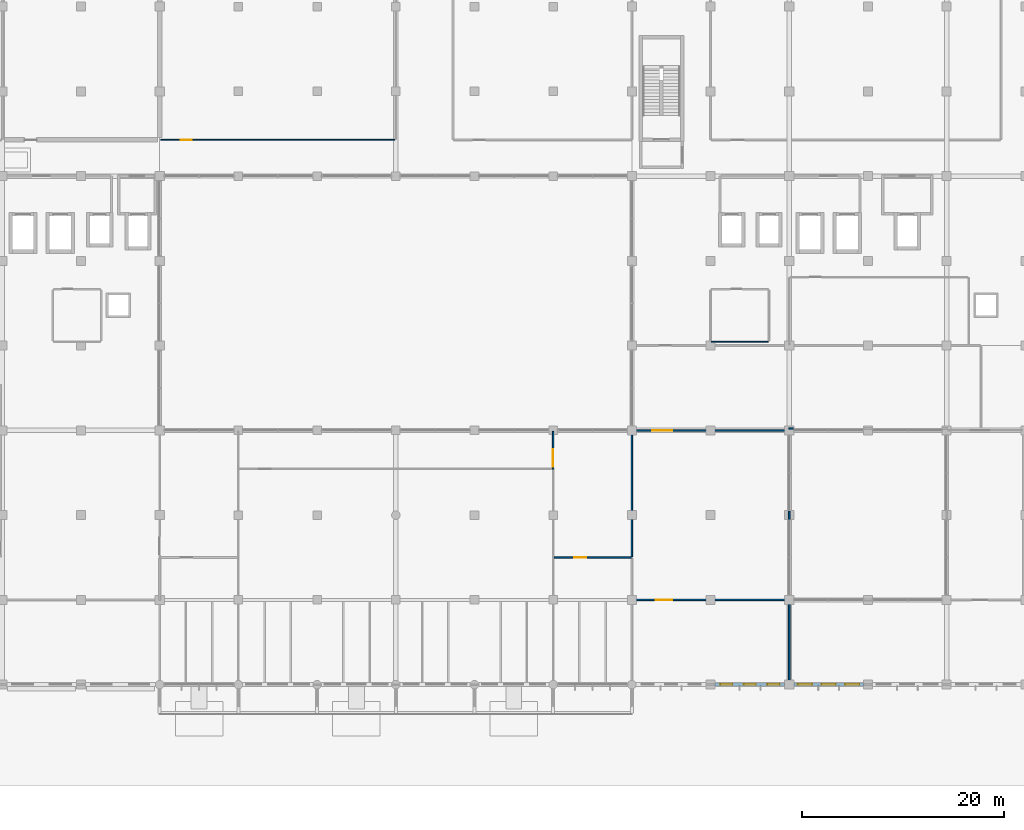
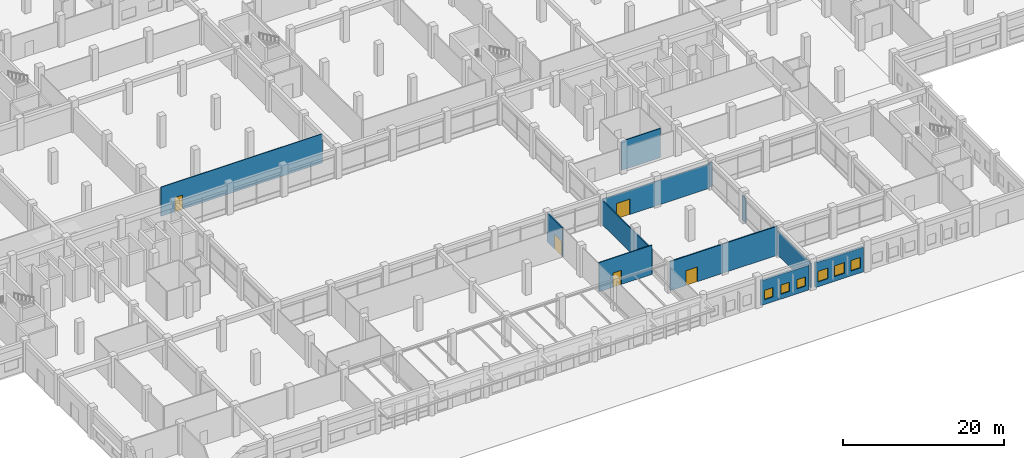
# One storey, part 50 of 74: 12 walls, 6 windows, 5 doors, 11 openings.
"""IFC4 building model written with IfcOpenShell, lengths in metres."""

import ifcopenshell
import ifcopenshell.guid

model = None  # the IFC model being written
_history = None  # IfcOwnerHistory: only IFC2X3 demands one
_inside = {}  # id of a spatial element -> (the spatial element, [elements in it])
_under = {}  # id of a project, library or spatial element -> (it, [spatial elements below it])
_declared = {}  # id of a project -> (the project, [libraries it declares])
_typed = {}  # id of a type object -> (the type object, [elements of that type])
_made_of = {}  # id of a material, layer set ... -> (it, [elements and type objects made of it])


def new_model(schema):
    """Start an empty IFC model of exactly this schema.

    Asked for "IFC4X3", IfcOpenShell would pick the latest addendum, in which some entities
    have other attributes; the version numbers below select the first issue.
    IFC2X3 requires an IfcOwnerHistory on every rooted entity: one is made here for all.
    """
    global model, _history
    if schema == "IFC4X3":
        model = ifcopenshell.file(schema_version=(4, 3, 0, 0))
    else:
        model = ifcopenshell.file(schema=schema)
    _inside.clear()
    _under.clear()
    _declared.clear()
    _typed.clear()
    _made_of.clear()
    _history = None
    if model.schema == "IFC2X3":
        org = make("IfcOrganization", Name="unknown")
        user = make(
            "IfcPersonAndOrganization",
            ThePerson=make("IfcPerson", FamilyName="unknown"),
            TheOrganization=org,
        )
        app = make(
            "IfcApplication",
            ApplicationDeveloper=org,
            Version="unknown",
            ApplicationFullName="unknown",
            ApplicationIdentifier="unknown",
        )
        _history = make(
            "IfcOwnerHistory",
            OwningUser=user,
            OwningApplication=app,
            ChangeAction="ADDED",
            CreationDate=0,
        )
    return model


def make(cls, **values):
    """One entity of the class cls with the attributes given. An attribute that is None is left unset."""
    return model.create_entity(
        cls, **{name: value for name, value in values.items() if value is not None}
    )


def rooted(cls, **values):
    """An entity with a GlobalId (a new one), such as an element, a storey or a relation."""
    return make(cls, GlobalId=ifcopenshell.guid.new(), OwnerHistory=_history, **values)


def si_unit(unit_type, name, prefix=None):
    """IfcSIUnit, for example si_unit("LENGTHUNIT", "METRE", prefix="MILLI")."""
    return make("IfcSIUnit", UnitType=unit_type, Prefix=prefix, Name=name)


def assignment(units):
    """IfcUnitAssignment: the units of a project."""
    return None if units is None else make("IfcUnitAssignment", Units=units)


def point(xyz):
    """IfcCartesianPoint."""
    return None if xyz is None else make("IfcCartesianPoint", Coordinates=xyz)


def direction(xyz):
    """IfcDirection."""
    return None if xyz is None else make("IfcDirection", DirectionRatios=xyz)


def frame(location, z_axis=None, x_axis=None):
    """IfcAxis2Placement3D, a coordinate frame: its origin and axes. An axis left out is left unset."""
    return make(
        "IfcAxis2Placement3D",
        Location=point(location),
        Axis=direction(z_axis),
        RefDirection=direction(x_axis),
    )


def frame_2d(location, x_axis=None):
    """IfcAxis2Placement2D, a coordinate frame in the plane: its origin and x axis."""
    return make(
        "IfcAxis2Placement2D", Location=point(location), RefDirection=direction(x_axis)
    )


def origin():
    """The frame at (0, 0, 0) with its axes left unset."""
    return frame((0.0, 0.0, 0.0))


def place(relative_to, where):
    """IfcLocalPlacement: puts the frame where relative to a parent placement (None: the world)."""
    return make(
        "IfcLocalPlacement", PlacementRelTo=relative_to, RelativePlacement=where
    )


def context(
    kind, dimensions, precision=None, world=None, true_north=None, identifier=None
):
    """IfcGeometricRepresentationContext, for example the 3D "Model" context."""
    return make(
        "IfcGeometricRepresentationContext",
        ContextIdentifier=identifier,
        ContextType=kind,
        CoordinateSpaceDimension=dimensions,
        Precision=precision,
        WorldCoordinateSystem=world,
        TrueNorth=true_north,
    )


def subcontext(parent, identifier, kind, view, scale=None):
    """IfcGeometricRepresentationSubContext, for example "Body" below "Model"."""
    return make(
        "IfcGeometricRepresentationSubContext",
        ContextIdentifier=identifier,
        ContextType=kind,
        ParentContext=parent,
        TargetScale=scale,
        TargetView=view,
    )


def project(units=None, contexts=None):
    """IfcProject with its units and contexts."""
    return rooted(
        "IfcProject",
        Name="project",
        RepresentationContexts=contexts,
        UnitsInContext=assignment(units),
    )


def spatial(cls, under=None, at=None, **own):
    """A site, building, storey or space (cls), placed at a placement, below another one or the project."""
    s = rooted(cls, ObjectPlacement=at, **own)
    if under is not None:
        _under.setdefault(under.id(), (under, []))[1].append(s)
    return s


def profile(cls, at=None, kind="AREA", **sizes):
    """A parametric profile (cls). Its sizes go by their IFC names, for example OverallWidth=200.0."""
    return make(cls, ProfileType=kind, Position=at, **sizes)


def rectangle(**sizes):
    """IfcRectangleProfileDef."""
    return profile("IfcRectangleProfileDef", **sizes)


def extrude(swept, where, along, depth):
    """IfcExtrudedAreaSolid: the profile swept, set in the frame where, extruded along a direction by depth."""
    return make(
        "IfcExtrudedAreaSolid",
        SweptArea=swept,
        Position=where,
        ExtrudedDirection=direction(along),
        Depth=depth,
    )


def shape(context_of_items, identifier, shape_type, items):
    """IfcShapeRepresentation: the items that make up one representation, for example the "Body"."""
    return make(
        "IfcShapeRepresentation",
        ContextOfItems=context_of_items,
        RepresentationIdentifier=identifier,
        RepresentationType=shape_type,
        Items=items,
    )


def material(Name=None, Category=None):
    """IfcMaterial."""
    return make("IfcMaterial", Name=Name, Category=Category)


def layer(
    of_material, thickness, ventilated=None, Name=None, Category=None, Priority=None
):
    """IfcMaterialLayer: one layer of a wall or slab, of a material (None: an air gap)."""
    return make(
        "IfcMaterialLayer",
        Material=of_material,
        LayerThickness=thickness,
        IsVentilated=ventilated,
        Name=Name,
        Category=Category,
        Priority=Priority,
    )


def layer_set(layers, Name=None):
    """IfcMaterialLayerSet."""
    return make("IfcMaterialLayerSet", MaterialLayers=layers, LayerSetName=Name)


def made_of(thing, what):
    """Note that an element or type object is made of a material, layer set ...; save() writes the relation."""
    if what is not None:
        _made_of.setdefault(what.id(), (what, []))[1].append(thing)
    return thing


def type_object(cls, material=None, **own):
    """A type object (cls), such as IfcWallType, which elements share."""
    return made_of(rooted(cls, **own), material)


def element(
    cls,
    number,
    at=None,
    inside=None,
    cuts=None,
    type_object=None,
    material=None,
    context=None,
    identifier="Body",
    shape_type=None,
    held_by="IfcProductDefinitionShape",
    body=None,
    shapes=None,
    **own,
):
    """One element of the class cls, such as IfcWall. Its Tag is "e" and its number.

    at: its placement. inside: the storey or other place that contains it. cuts: it is an
    opening in that element (IfcRelVoidsElement). A single representation is given by context,
    identifier, shape_type and body (its items); several are given by shapes. held_by: the class
    of the entity that holds the representations. save() writes the other relations.
    """
    e = rooted(cls, Tag="e%d" % number, ObjectPlacement=at, **own)
    if body is not None:
        shapes = [shape(context, identifier, shape_type, body)]
    if shapes is not None:
        e.Representation = make(held_by, Representations=shapes)
    if inside is not None:
        _inside.setdefault(inside.id(), (inside, []))[1].append(e)
    if cuts is not None:
        rooted(
            "IfcRelVoidsElement", RelatingBuildingElement=cuts, RelatedOpeningElement=e
        )
    if type_object is not None:
        _typed.setdefault(type_object.id(), (type_object, []))[1].append(e)
    return made_of(e, material)


def fill(opening, filler):
    """IfcRelFillsElement: the door or window that sits in an opening."""
    return rooted(
        "IfcRelFillsElement",
        RelatingOpeningElement=opening,
        RelatedBuildingElement=filler,
    )


def aggregate(whole, parts):
    """IfcRelAggregates: a whole, such as a stair, and the parts it consists of."""
    return rooted("IfcRelAggregates", RelatingObject=whole, RelatedObjects=parts)


def save(model, path):
    """Write the relations noted so far, then the file.

    IfcRelAggregates (storeys below a building ...), IfcRelContainedInSpatialStructure (elements
    in a storey), IfcRelDefinesByType, IfcRelAssociatesMaterial and IfcRelDeclares: one each for
    every whole, place, type object, material and project.
    """
    for whole, parts in _under.values():
        aggregate(whole, parts)
    for where, things in _inside.values():
        rooted(
            "IfcRelContainedInSpatialStructure",
            RelatedElements=things,
            RelatingStructure=where,
        )
    for kind, things in _typed.values():
        rooted("IfcRelDefinesByType", RelatedObjects=things, RelatingType=kind)
    for what, things in _made_of.values():
        rooted("IfcRelAssociatesMaterial", RelatedObjects=things, RelatingMaterial=what)
    for by, libraries in _declared.values():
        rooted("IfcRelDeclares", RelatingContext=by, RelatedDefinitions=libraries)
    model.write(path)


model = new_model("IFC4")

# Units and contexts
model_context = context("Model", 3, precision=1e-05, world=origin(), true_north=direction((0.0, 1.0)))
body_context = subcontext(model_context, "Body", "Model", "MODEL_VIEW")
ifc_project = project(units=[si_unit("LENGTHUNIT", "METRE"), si_unit("AREAUNIT", "SQUARE_METRE"), si_unit("VOLUMEUNIT", "CUBIC_METRE"), si_unit("PLANEANGLEUNIT", "RADIAN"), si_unit("MASSUNIT", "GRAM", prefix="KILO"), si_unit("THERMODYNAMICTEMPERATUREUNIT", "KELVIN"), si_unit("POWERUNIT", "WATT")], contexts=[model_context])

# Site, building, storey
site_placement = place(None, origin())
site = spatial("IfcSite", under=ifc_project, at=site_placement, CompositionType="ELEMENT")
building_placement = place(site_placement, origin())
building = spatial("IfcBuilding", under=site, at=building_placement, Name="Srebrne Nadtorze General Hospital", CompositionType="ELEMENT")
storey_placement = place(building_placement, origin())
storey = spatial("IfcBuildingStorey", under=building, at=storey_placement, Name="L00", CompositionType="ELEMENT", Elevation=0.0)

# Wall, opening, door
ifc_material_1 = material(Name="Gypsum Healthcare Partition")
ifc_layer_1 = layer(ifc_material_1, 0.139892578125)
ifc_layer_set_1 = layer_set([ifc_layer_1], Name="Gypsum Healthcare Partition")
wall_type_1 = type_object("IfcWallType", Name="Clinical partition 140", PredefinedType="PARTITIONING", material=ifc_layer_set_1)
wall_1_placement = place(storey_placement, frame((93.68505859375, 12.60009765625, 0.0), z_axis=(0.0, 0.0, 1.0), x_axis=(1.0, 0.0, 0.0)))
wall_1 = element("IfcWall", 1, at=wall_1_placement, inside=storey, type_object=wall_type_1, Name="Hospital Health Shop wall WL-INT-L00-1293", PredefinedType="PARTITIONING", context=body_context, shape_type="SweptSolid", body=[
    extrude(rectangle(XDim=7.6298828125, YDim=0.139892578125, at=frame_2d((3.81494140625, 0.0))), origin(), (0.0, 0.0, 1.0), 4.429931640625),
])
opening_1_placement = place(wall_1_placement, frame((1.98828125, 0.0, 0.0)))
opening_1 = element("IfcOpeningElement", 2, at=opening_1_placement, cuts=wall_1, Name="Opening D-L00-0188", PredefinedType="OPENING", context=body_context, shape_type="SweptSolid", body=[
    extrude(rectangle(XDim=1.219970703125, YDim=2.14990234375, at=frame_2d((0.60986328125, 1.074951171875))), frame((0.0, 0.08203125, 0.0), z_axis=(0.0, -1.0, 0.0), x_axis=(1.0, 0.0, 0.0)), (0.0, 0.0, 1.0), 0.163818359375),
])
ifc_material_2 = material(Name="Anodised Aluminium", Category="aluminium")
door_type_1 = type_object("IfcDoorType", Name="Single leaf door 1220x2150", OperationType="NOTDEFINED", PredefinedType="DOOR", material=ifc_material_2)
door_1_placement = place(opening_1_placement, frame((1.219970703125, 0.0, 0.0), z_axis=(0.0, 0.0, 1.0), x_axis=(-1.0, 0.0, 0.0)))
door_1 = element("IfcDoor", 3, at=door_1_placement, inside=storey, type_object=door_type_1, Name="Hospital Health Shop door D-L00-0188", OperationType="SINGLE_SWING_RIGHT", OverallHeight=2.14990234375, OverallWidth=1.219970703125, PredefinedType="DOOR", context=body_context, shape_type="SweptSolid", body=[
    extrude(rectangle(XDim=1.219970703125, YDim=2.14990234375, at=frame_2d((0.60986328125, 1.074951171875))), frame((0.0, 0.02490234375, 0.0), z_axis=(0.0, -1.0, 0.0), x_axis=(1.0, 0.0, 0.0)), (0.0, 0.0, 1.0), 0.050048828125),
])
fill(opening_1, door_1)

# Wall
wall_2_placement = place(storey_placement, frame((116.955078125, 25.39990234375, 0.0), z_axis=(0.0, 0.0, 1.0), x_axis=(1.0, 0.0, 0.0)))
element("IfcWall", 4, at=wall_2_placement, inside=storey, type_object=wall_type_1, Name="Outpatient Pre-Admission Assessment Clinic wall WL-INT-L00-1385", PredefinedType="PARTITIONING", context=body_context, shape_type="SweptSolid", body=[
    extrude(rectangle(XDim=0.454833984375, YDim=0.139892578125, at=frame_2d((0.2275390625, 0.0))), origin(), (0.0, 0.0, 1.0), 3.699951171875),
])

# Wall, opening, door
ifc_material_3 = material(Name="Gypsum Healthcare Partition")
ifc_layer_2 = layer(ifc_material_3, 0.159912109375)
ifc_layer_set_2 = layer_set([ifc_layer_2], Name="Gypsum Healthcare Partition")
wall_type_2 = type_object("IfcWallType", Name="Clinical partition 160", PredefinedType="PARTITIONING", material=ifc_layer_set_2)
wall_3_placement = place(storey_placement, frame((93.60009765625, 21.35498046875, 0.0), z_axis=(0.0, 0.0, 1.0), x_axis=(0.0, 1.0, 0.0)))
wall_3 = element("IfcWall", 5, at=wall_3_placement, inside=storey, type_object=wall_type_2, Name="Patient Admissions Consultation wall WL-INT-L00-1297", PredefinedType="PARTITIONING", context=body_context, shape_type="SweptSolid", body=[
    extrude(rectangle(XDim=3.760009765625, YDim=0.159912109375, at=frame_2d((1.8798828125, 0.0))), origin(), (0.0, 0.0, 1.0), 4.429931640625),
])
opening_2_placement = place(wall_3_placement, frame((0.25, 0.0, 0.0)))
opening_2 = element("IfcOpeningElement", 6, at=opening_2_placement, cuts=wall_3, Name="Opening D-L00-0190", PredefinedType="OPENING", context=body_context, shape_type="SweptSolid", body=[
    extrude(rectangle(XDim=1.75, YDim=2.300048828125, at=frame_2d((0.875, 1.14990234375))), frame((0.0, 0.091796875, 0.0), z_axis=(0.0, -1.0, 0.0), x_axis=(1.0, 0.0, 0.0)), (0.0, 0.0, 1.0), 0.183837890625),
])
ifc_material_4 = material(Name="Anodised Aluminium", Category="aluminium")
door_type_2 = type_object("IfcDoorType", Name="Double leaf door 1750x2300", OperationType="DOUBLE_DOOR_SINGLE_SWING", PredefinedType="DOOR", material=ifc_material_4)
door_2_placement = place(opening_2_placement, frame((1.75, 0.0, 0.0), z_axis=(0.0, 0.0, 1.0), x_axis=(-1.0, 0.0, 0.0)))
door_2 = element("IfcDoor", 7, at=door_2_placement, inside=storey, type_object=door_type_2, Name="Patient Admissions Consultation door D-L00-0190", OperationType="DOUBLE_DOOR_SINGLE_SWING", OverallHeight=2.300048828125, OverallWidth=1.75, PredefinedType="DOOR", context=body_context, shape_type="SweptSolid", body=[
    extrude(rectangle(XDim=1.75, YDim=2.300048828125, at=frame_2d((0.875, 1.14990234375))), frame((0.0, 0.02490234375, 0.0), z_axis=(0.0, -1.0, 0.0), x_axis=(1.0, 0.0, 0.0)), (0.0, 0.0, 1.0), 0.050048828125),
])
fill(opening_2, door_2)

# Wall
wall_4_placement = place(storey_placement, frame((101.39990234375, 12.68505859375, 0.0), z_axis=(0.0, 0.0, 1.0), x_axis=(0.0, 1.0, 0.0)))
element("IfcWall", 8, at=wall_4_placement, inside=storey, type_object=wall_type_2, Name="Patient Admissions Consultation wall WL-INT-L00-1298", PredefinedType="PARTITIONING", context=body_context, shape_type="SweptSolid", body=[
    extrude(rectangle(XDim=12.429931640625, YDim=0.159912109375, at=frame_2d((6.21484375, 0.0))), origin(), (0.0, 0.0, 1.0), 3.699951171875),
])

# Wall, opening, door
wall_5_placement = place(storey_placement, frame((101.485107421875, 8.39990234375, 0.0), z_axis=(0.0, 0.0, 1.0), x_axis=(1.0, 0.0, 0.0)))
wall_5 = element("IfcWall", 9, at=wall_5_placement, inside=storey, type_object=wall_type_2, Name="Outpatient Consultation Clinic wall WL-INT-L00-1360", PredefinedType="PARTITIONING", context=body_context, shape_type="SweptSolid", body=[
    extrude(rectangle(XDim=15.429931640625, YDim=0.159912109375, at=frame_2d((7.71484375, 0.0))), origin(), (0.0, 0.0, 1.0), 4.429931640625),
])
opening_3_placement = place(wall_5_placement, frame((2.30078125, 0.0, 0.0)))
opening_3 = element("IfcOpeningElement", 10, at=opening_3_placement, cuts=wall_5, Name="Opening D-L00-0205", PredefinedType="OPENING", context=body_context, shape_type="SweptSolid", body=[
    extrude(rectangle(XDim=1.60009765625, YDim=2.25, at=frame_2d((0.800048828125, 1.125))), frame((0.0, 0.091796875, 0.0), z_axis=(0.0, -1.0, 0.0), x_axis=(1.0, 0.0, 0.0)), (0.0, 0.0, 1.0), 0.183837890625),
])
ifc_material_5 = material(Name="Anodised Aluminium", Category="aluminium")
door_type_3 = type_object("IfcDoorType", Name="Double leaf door 1600x2250", OperationType="DOUBLE_DOOR_SINGLE_SWING", PredefinedType="DOOR", material=ifc_material_5)
door_3_placement = place(opening_3_placement, frame((1.60009765625, 0.0, 0.0), z_axis=(0.0, 0.0, 1.0), x_axis=(-1.0, 0.0, 0.0)))
door_3 = element("IfcDoor", 11, at=door_3_placement, inside=storey, type_object=door_type_3, Name="Outpatient Consultation Clinic door D-L00-0205", OperationType="DOUBLE_DOOR_SINGLE_SWING", OverallHeight=2.25, OverallWidth=1.60009765625, PredefinedType="DOOR", context=body_context, shape_type="SweptSolid", body=[
    extrude(rectangle(XDim=1.60009765625, YDim=2.25, at=frame_2d((0.800048828125, 1.125))), frame((0.0, 0.02490234375, 0.0), z_axis=(0.0, -1.0, 0.0), x_axis=(1.0, 0.0, 0.0)), (0.0, 0.0, 1.0), 0.050048828125),
])
fill(opening_3, door_3)

# Wall
wall_6_placement = place(storey_placement, frame((117.0, 0.0849609375, 0.0), z_axis=(0.0, 0.0, 1.0), x_axis=(0.0, 1.0, 0.0)))
element("IfcWall", 12, at=wall_6_placement, inside=storey, type_object=wall_type_2, Name="Outpatient Consultation Clinic wall WL-INT-L00-1362", PredefinedType="PARTITIONING", context=body_context, shape_type="SweptSolid", body=[
    extrude(rectangle(XDim=8.22998046875, YDim=0.159912109375, at=frame_2d((4.114990234375, 0.0))), origin(), (0.0, 0.0, 1.0), 3.699951171875),
])

# Wall, opening, door
wall_7_placement = place(storey_placement, frame((101.485107421875, 25.199951171875, 0.0), z_axis=(0.0, 0.0, 1.0), x_axis=(1.0, 0.0, 0.0)))
wall_7 = element("IfcWall", 13, at=wall_7_placement, inside=storey, type_object=wall_type_2, Name="Outpatient Vaccination Clinic wall WL-INT-L00-1371", PredefinedType="PARTITIONING", context=body_context, shape_type="SweptSolid", body=[
    extrude(rectangle(XDim=15.429931640625, YDim=0.159912109375, at=frame_2d((7.71484375, 0.0))), origin(), (0.0, 0.0, 1.0), 3.699951171875),
])
opening_4_placement = place(wall_7_placement, frame((1.9580078125, 0.0, 0.0)))
opening_4 = element("IfcOpeningElement", 14, at=opening_4_placement, cuts=wall_7, Name="Opening D-L00-0208", PredefinedType="OPENING", context=body_context, shape_type="SweptSolid", body=[
    extrude(rectangle(XDim=1.949951171875, YDim=2.35009765625, at=frame_2d((0.97509765625, 1.175048828125))), frame((0.0, 0.091796875, 0.0), z_axis=(0.0, -1.0, 0.0), x_axis=(1.0, 0.0, 0.0)), (0.0, 0.0, 1.0), 0.183837890625),
])
ifc_material_6 = material(Name="Anodised Aluminium", Category="aluminium")
door_type_4 = type_object("IfcDoorType", Name="Double leaf door 1950x2350", OperationType="DOUBLE_DOOR_SINGLE_SWING", PredefinedType="DOOR", material=ifc_material_6)
door_4_placement = place(opening_4_placement, frame((1.949951171875, 0.0, 0.0), z_axis=(0.0, 0.0, 1.0), x_axis=(-1.0, 0.0, 0.0)))
door_4 = element("IfcDoor", 15, at=door_4_placement, inside=storey, type_object=door_type_4, Name="Outpatient Vaccination Clinic door D-L00-0208", OperationType="DOUBLE_DOOR_SINGLE_SWING", OverallHeight=2.35009765625, OverallWidth=1.949951171875, PredefinedType="DOOR", context=body_context, shape_type="SweptSolid", body=[
    extrude(rectangle(XDim=1.949951171875, YDim=2.35009765625, at=frame_2d((0.97509765625, 1.175048828125))), frame((0.0, 0.02490234375, 0.0), z_axis=(0.0, -1.0, 0.0), x_axis=(1.0, 0.0, 0.0)), (0.0, 0.0, 1.0), 0.050048828125),
])
fill(opening_4, door_4)

# Walls
wall_8_placement = place(storey_placement, frame((117.0, 16.389892578125, 0.0), z_axis=(0.0, 0.0, 1.0), x_axis=(0.0, 1.0, 0.0)))
element("IfcWall", 16, at=wall_8_placement, inside=storey, type_object=wall_type_2, Name="Outpatient Vaccination Clinic wall WL-INT-L00-1372", PredefinedType="PARTITIONING", context=body_context, shape_type="SweptSolid", body=[
    extrude(rectangle(XDim=0.820068359375, YDim=0.159912109375, at=frame_2d((0.41015625, 0.0))), origin(), (0.0, 0.0, 1.0), 3.699951171875),
])
ifc_material_7 = material(Name="Gypsum Healthcare Partition")
ifc_layer_3 = layer(ifc_material_7, 0.1201171875)
ifc_layer_set_3 = layer_set([ifc_layer_3], Name="Gypsum Healthcare Partition")
wall_type_3 = type_object("IfcWallType", Name="En-suite partition 120", PredefinedType="PARTITIONING", material=ifc_layer_set_3)
wall_9_placement = place(storey_placement, frame((109.284912109375, 34.0, 0.0), z_axis=(0.0, 0.0, 1.0), x_axis=(1.0, 0.0, 0.0)))
element("IfcWall", 17, at=wall_9_placement, inside=storey, type_object=wall_type_3, Name="Staff WC wall WL-INT-L00-1382", PredefinedType="PARTITIONING", context=body_context, shape_type="SweptSolid", body=[
    extrude(rectangle(XDim=5.630126953125, YDim=0.1201171875, at=frame_2d((2.81494140625, 0.0))), origin(), (0.0, 0.0, 1.0), 4.429931640625),
])

# Wall, openings, windows
ifc_material_8 = material(Name="Concrete C40/50 precast", Category="concrete")
ifc_layer_4 = layer(ifc_material_8, 0.300048828125)
ifc_layer_set_4 = layer_set([ifc_layer_4], Name="Concrete C40/50 precast")
wall_type_4 = type_object("IfcWallType", Name="Limestone precast wall 300", PredefinedType="STANDARD", material=ifc_layer_set_4)
wall_10_placement = place(storey_placement, frame((109.64990234375, 0.0, 0.0), z_axis=(0.0, 0.0, 1.0), x_axis=(1.0, 0.0, 0.0)))
wall_10 = element("IfcWall", 18, at=wall_10_placement, inside=storey, type_object=wall_type_4, Name="Exterior wall WL-ENV-L00-0086", PredefinedType="STANDARD", context=body_context, shape_type="SweptSolid", body=[
    extrude(rectangle(XDim=6.900146484375, YDim=0.300048828125, at=frame_2d((3.4501953125, 0.0))), origin(), (0.0, 0.0, 1.0), 3.75),
])
opening_5_placement = place(wall_10_placement, frame((0.510009765625, 0.0, 0.75)))
opening_5 = element("IfcOpeningElement", 19, at=opening_5_placement, cuts=wall_10, Name="Opening WN-L00-0018", PredefinedType="OPENING", context=body_context, shape_type="SweptSolid", body=[
    extrude(rectangle(XDim=1.199951171875, YDim=1.39990234375, at=frame_2d((0.60009765625, 0.699951171875))), frame((0.0, 0.162109375, 0.0), z_axis=(0.0, -1.0, 0.0), x_axis=(1.0, 0.0, 0.0)), (0.0, 0.0, 1.0), 0.323974609375),
])
opening_6_placement = place(wall_10_placement, frame((2.85009765625, 0.0, 0.75)))
opening_6 = element("IfcOpeningElement", 20, at=opening_6_placement, cuts=wall_10, Name="Opening WN-L00-0019", PredefinedType="OPENING", context=body_context, shape_type="SweptSolid", body=[
    extrude(rectangle(XDim=1.199951171875, YDim=1.39990234375, at=frame_2d((0.60009765625, 0.699951171875))), frame((0.0, 0.162109375, 0.0), z_axis=(0.0, -1.0, 0.0), x_axis=(1.0, 0.0, 0.0)), (0.0, 0.0, 1.0), 0.323974609375),
])
opening_7_placement = place(wall_10_placement, frame((5.18994140625, 0.0, 0.75)))
opening_7 = element("IfcOpeningElement", 21, at=opening_7_placement, cuts=wall_10, Name="Opening WN-L00-0020", PredefinedType="OPENING", context=body_context, shape_type="SweptSolid", body=[
    extrude(rectangle(XDim=1.199951171875, YDim=1.39990234375, at=frame_2d((0.60009765625, 0.699951171875))), frame((0.0, 0.162109375, 0.0), z_axis=(0.0, -1.0, 0.0), x_axis=(1.0, 0.0, 0.0)), (0.0, 0.0, 1.0), 0.323974609375),
])
ifc_material_9 = material(Name="Triple Low-E Glazing", Category="glass")
window_type_1 = type_object("IfcWindowType", Name="Punched clinical window 1200x1400", PartitioningType="SINGLE_PANEL", PredefinedType="WINDOW", material=ifc_material_9)
window_1_placement = place(opening_5_placement, origin())
window_1 = element("IfcWindow", 22, at=window_1_placement, inside=storey, type_object=window_type_1, Name="Clinical window WN-L00-0018", OverallHeight=1.39990234375, OverallWidth=1.199951171875, PartitioningType="SINGLE_PANEL", PredefinedType="WINDOW", context=body_context, shape_type="SweptSolid", body=[
    extrude(rectangle(XDim=1.199951171875, YDim=1.39990234375, at=frame_2d((0.60009765625, 0.699951171875))), frame((0.0, 0.030029296875, 0.0), z_axis=(0.0, -1.0, 0.0), x_axis=(1.0, 0.0, 0.0)), (0.0, 0.0, 1.0), 0.06005859375),
])
fill(opening_5, window_1)
window_2_placement = place(opening_6_placement, origin())
window_2 = element("IfcWindow", 23, at=window_2_placement, inside=storey, type_object=window_type_1, Name="Clinical window WN-L00-0019", OverallHeight=1.39990234375, OverallWidth=1.199951171875, PartitioningType="SINGLE_PANEL", PredefinedType="WINDOW", context=body_context, shape_type="SweptSolid", body=[
    extrude(rectangle(XDim=1.199951171875, YDim=1.39990234375, at=frame_2d((0.60009765625, 0.699951171875))), frame((0.0, 0.030029296875, 0.0), z_axis=(0.0, -1.0, 0.0), x_axis=(1.0, 0.0, 0.0)), (0.0, 0.0, 1.0), 0.06005859375),
])
fill(opening_6, window_2)
window_3_placement = place(opening_7_placement, origin())
window_3 = element("IfcWindow", 24, at=window_3_placement, inside=storey, type_object=window_type_1, Name="Clinical window WN-L00-0020", OverallHeight=1.39990234375, OverallWidth=1.199951171875, PartitioningType="SINGLE_PANEL", PredefinedType="WINDOW", context=body_context, shape_type="SweptSolid", body=[
    extrude(rectangle(XDim=1.199951171875, YDim=1.39990234375, at=frame_2d((0.60009765625, 0.699951171875))), frame((0.0, 0.030029296875, 0.0), z_axis=(0.0, -1.0, 0.0), x_axis=(1.0, 0.0, 0.0)), (0.0, 0.0, 1.0), 0.06005859375),
])
fill(opening_7, window_3)

wall_11_placement = place(storey_placement, frame((117.449951171875, 0.0, 0.0), z_axis=(0.0, 0.0, 1.0), x_axis=(1.0, 0.0, 0.0)))
wall_11 = element("IfcWall", 25, at=wall_11_placement, inside=storey, type_object=wall_type_4, Name="Exterior wall WL-ENV-L00-0087", PredefinedType="STANDARD", context=body_context, shape_type="SweptSolid", body=[
    extrude(rectangle(XDim=6.900146484375, YDim=0.300048828125, at=frame_2d((3.4501953125, 0.0))), origin(), (0.0, 0.0, 1.0), 3.75),
])
opening_8_placement = place(wall_11_placement, frame((0.409912109375, 0.0, 0.75)))
opening_8 = element("IfcOpeningElement", 26, at=opening_8_placement, cuts=wall_11, Name="Opening WN-L00-0021", PredefinedType="OPENING", context=body_context, shape_type="SweptSolid", body=[
    extrude(rectangle(XDim=1.39990234375, YDim=1.60009765625, at=frame_2d((0.699951171875, 0.800048828125))), frame((0.0, 0.162109375, 0.0), z_axis=(0.0, -1.0, 0.0), x_axis=(1.0, 0.0, 0.0)), (0.0, 0.0, 1.0), 0.323974609375),
])
opening_9_placement = place(wall_11_placement, frame((2.75, 0.0, 0.75)))
opening_9 = element("IfcOpeningElement", 27, at=opening_9_placement, cuts=wall_11, Name="Opening WN-L00-0022", PredefinedType="OPENING", context=body_context, shape_type="SweptSolid", body=[
    extrude(rectangle(XDim=1.39990234375, YDim=1.60009765625, at=frame_2d((0.699951171875, 0.800048828125))), frame((0.0, 0.162109375, 0.0), z_axis=(0.0, -1.0, 0.0), x_axis=(1.0, 0.0, 0.0)), (0.0, 0.0, 1.0), 0.323974609375),
])
opening_10_placement = place(wall_11_placement, frame((5.090087890625, 0.0, 0.75)))
opening_10 = element("IfcOpeningElement", 28, at=opening_10_placement, cuts=wall_11, Name="Opening WN-L00-0023", PredefinedType="OPENING", context=body_context, shape_type="SweptSolid", body=[
    extrude(rectangle(XDim=1.39990234375, YDim=1.60009765625, at=frame_2d((0.699951171875, 0.800048828125))), frame((0.0, 0.162109375, 0.0), z_axis=(0.0, -1.0, 0.0), x_axis=(1.0, 0.0, 0.0)), (0.0, 0.0, 1.0), 0.323974609375),
])
ifc_material_10 = material(Name="Triple Low-E Glazing", Category="glass")
window_type_2 = type_object("IfcWindowType", Name="Punched clinical window 1400x1600", PartitioningType="SINGLE_PANEL", PredefinedType="WINDOW", material=ifc_material_10)
window_4_placement = place(opening_8_placement, origin())
window_4 = element("IfcWindow", 29, at=window_4_placement, inside=storey, type_object=window_type_2, Name="Clinical window WN-L00-0021", OverallHeight=1.60009765625, OverallWidth=1.39990234375, PartitioningType="SINGLE_PANEL", PredefinedType="WINDOW", context=body_context, shape_type="SweptSolid", body=[
    extrude(rectangle(XDim=1.39990234375, YDim=1.60009765625, at=frame_2d((0.699951171875, 0.800048828125))), frame((0.0, 0.030029296875, 0.0), z_axis=(0.0, -1.0, 0.0), x_axis=(1.0, 0.0, 0.0)), (0.0, 0.0, 1.0), 0.06005859375),
])
fill(opening_8, window_4)
window_5_placement = place(opening_9_placement, origin())
window_5 = element("IfcWindow", 30, at=window_5_placement, inside=storey, type_object=window_type_2, Name="Clinical window WN-L00-0022", OverallHeight=1.60009765625, OverallWidth=1.39990234375, PartitioningType="SINGLE_PANEL", PredefinedType="WINDOW", context=body_context, shape_type="SweptSolid", body=[
    extrude(rectangle(XDim=1.39990234375, YDim=1.60009765625, at=frame_2d((0.699951171875, 0.800048828125))), frame((0.0, 0.030029296875, 0.0), z_axis=(0.0, -1.0, 0.0), x_axis=(1.0, 0.0, 0.0)), (0.0, 0.0, 1.0), 0.06005859375),
])
fill(opening_9, window_5)
window_6_placement = place(opening_10_placement, origin())
window_6 = element("IfcWindow", 31, at=window_6_placement, inside=storey, type_object=window_type_2, Name="Clinical window WN-L00-0023", OverallHeight=1.60009765625, OverallWidth=1.39990234375, PartitioningType="SINGLE_PANEL", PredefinedType="WINDOW", context=body_context, shape_type="SweptSolid", body=[
    extrude(rectangle(XDim=1.39990234375, YDim=1.60009765625, at=frame_2d((0.699951171875, 0.800048828125))), frame((0.0, 0.030029296875, 0.0), z_axis=(0.0, -1.0, 0.0), x_axis=(1.0, 0.0, 0.0)), (0.0, 0.0, 1.0), 0.06005859375),
])
fill(opening_10, window_6)

# Wall, opening, door
ifc_material_11 = material(Name="Gypsum Healthcare Partition")
ifc_layer_5 = layer(ifc_material_11, 0.10009765625)
ifc_layer_set_5 = layer_set([ifc_layer_5], Name="Gypsum Healthcare Partition")
wall_type_5 = type_object("IfcWallType", Name="Shaft lining wall 100", PredefinedType="PARTITIONING", material=ifc_layer_set_5)
wall_12_placement = place(storey_placement, frame((54.68505859375, 54.0, 0.0), z_axis=(0.0, 0.0, 1.0), x_axis=(1.0, 0.0, 0.0)))
wall_12 = element("IfcWall", 32, at=wall_12_placement, inside=storey, type_object=wall_type_5, Name="Diagnostic Phlebotomy and Specimen Unit wall WL-INT-L00-1330", PredefinedType="PARTITIONING", context=body_context, shape_type="SweptSolid", body=[
    extrude(rectangle(XDim=23.22998046875, YDim=0.10009765625, at=frame_2d((11.614990234375, 0.0))), origin(), (0.0, 0.0, 1.0), 4.429931640625),
])
opening_11_placement = place(wall_12_placement, frame((1.998291015625, 0.0, 0.0)))
opening_11 = element("IfcOpeningElement", 33, at=opening_11_placement, cuts=wall_12, Name="Opening D-L00-0198", PredefinedType="OPENING", context=body_context, shape_type="SweptSolid", body=[
    extrude(rectangle(XDim=1.080078125, YDim=2.14990234375, at=frame_2d((0.5400390625, 1.074951171875))), frame((0.0, 0.06201171875, 0.0), z_axis=(0.0, -1.0, 0.0), x_axis=(1.0, 0.0, 0.0)), (0.0, 0.0, 1.0), 0.1240234375),
])
ifc_material_12 = material(Name="Anodised Aluminium", Category="aluminium")
door_type_5 = type_object("IfcDoorType", Name="Single leaf door 1080x2150", OperationType="NOTDEFINED", PredefinedType="DOOR", material=ifc_material_12)
door_5_placement = place(opening_11_placement, origin())
door_5 = element("IfcDoor", 34, at=door_5_placement, inside=storey, type_object=door_type_5, Name="Diagnostic Phlebotomy and Specimen Unit door D-L00-0198", OperationType="SINGLE_SWING_LEFT", OverallHeight=2.14990234375, OverallWidth=1.080078125, PredefinedType="DOOR", context=body_context, shape_type="SweptSolid", body=[
    extrude(rectangle(XDim=1.080078125, YDim=2.14990234375, at=frame_2d((0.5400390625, 1.074951171875))), frame((0.0, 0.02490234375, 0.0), z_axis=(0.0, -1.0, 0.0), x_axis=(1.0, 0.0, 0.0)), (0.0, 0.0, 1.0), 0.050048828125),
])
fill(opening_11, door_5)

save(model, "model.ifc")
